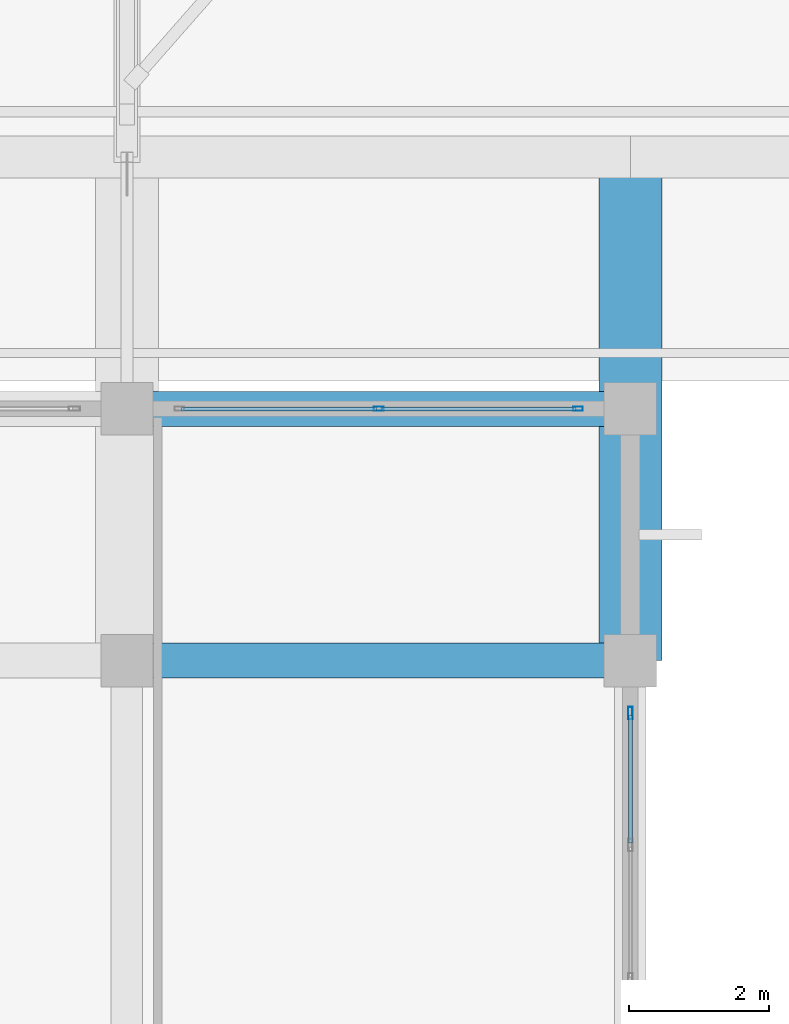
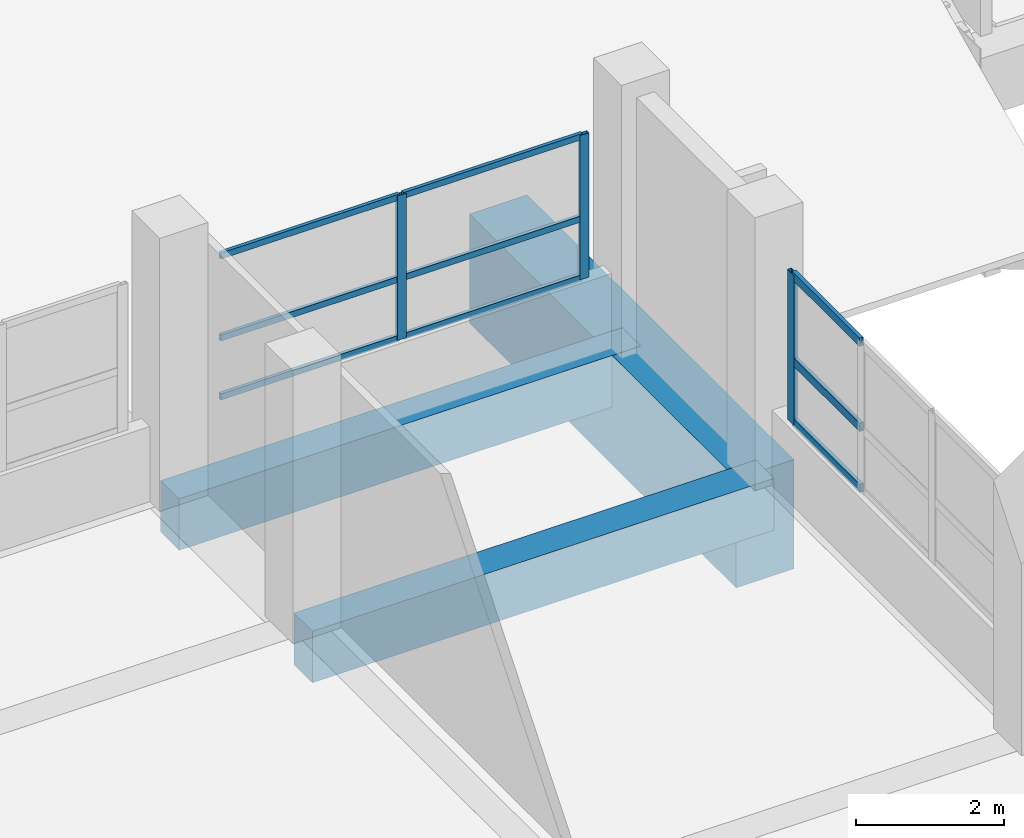
# One storey, part 101 of 141: 12 members, 3 beams, 2 elements without a shape of their own.
"""IFC4 building model written with IfcOpenShell, lengths in metres."""

from ifc_helpers import new_model, si_unit, direction, frame, origin, origin_2d, place, context, subcontext, project, spatial, rectangle, hollow_rectangle, extrude, material, layer, layer_set, material_profile, profile_set, type_object, element, aggregate, save


model = new_model("IFC4")

# Units and contexts
model_context = context("Model", 3, precision=1e-05, world=origin(), true_north=direction((0.0, 1.0)))
body_context = subcontext(model_context, "Body", "Model", "MODEL_VIEW")
ifc_project = project(units=[si_unit("LENGTHUNIT", "METRE"), si_unit("AREAUNIT", "SQUARE_METRE"), si_unit("VOLUMEUNIT", "CUBIC_METRE"), si_unit("PLANEANGLEUNIT", "RADIAN"), si_unit("MASSUNIT", "GRAM", prefix="KILO")], contexts=[model_context])

# Site, building, storey
site_placement = place(None, origin())
site = spatial("IfcSite", under=ifc_project, at=site_placement, CompositionType="ELEMENT")
building_placement = place(site_placement, origin())
building = spatial("IfcBuilding", under=site, at=building_placement, Name="Seraya Terrace Polytechnic", CompositionType="ELEMENT")
storey_placement = place(building_placement, frame((0.0, 0.0, 14.39990234375)))
storey = spatial("IfcBuildingStorey", under=building, at=storey_placement, Name="L03", CompositionType="ELEMENT", Elevation=14.39990234375)

# Beams
ifc_material_1 = material(Name="Concrete C40/50", Category="concrete")
ifc_material_profile_1 = material_profile(ifc_material_1, rectangle(XDim=0.5, YDim=0.85009765625, at=origin_2d()), Name="RC 500x850")
ifc_profile_set_1 = profile_set([ifc_material_profile_1], Name="Concrete C40/50")
beam_type_1 = type_object("IfcBeamType", Name="BM-05", PredefinedType="BEAM", material=ifc_profile_set_1)
for number, where, z_axis, x_axis, name in (
    (1, (100.800048828125, 72.0, -0.4248046875), (1.0, 0.0, 0.0), (0.0, 1.0, 0.0), "Beam BM-05 L03 X (100.8..108.0, 72.0)"),
    (2, (100.800048828125, 75.60009765625, -0.4248046875), (1.0, 0.0, 0.0), (0.0, 1.0, 0.0), "Beam BM-05 L03 X (100.8..108.0, 75.6)"),
):
    element("IfcBeam", number, at=place(storey_placement, frame(where, z_axis=z_axis, x_axis=x_axis)), inside=storey, type_object=beam_type_1, Name=name, PredefinedType="BEAM", context=body_context, shape_type="SweptSolid", body=[
        extrude(rectangle(XDim=0.5, YDim=0.85009765625, at=origin_2d()), origin(), (0.0, 0.0, 1.0), 7.199951171875),
    ])

# Curtain wall, member
ifc_material_2 = material(Name="Anodised aluminium EN AW-6063 T6", Category="aluminium")
ifc_layer_1 = layer(ifc_material_2, 0.179931640625, Name="CW-19")
ifc_layer_set_1 = layer_set([ifc_layer_1], Name="Anodised aluminium EN AW-6063 T6")
curtain_wall_type_1 = type_object("IfcCurtainWallType", Name="CW-19", PredefinedType="NOTDEFINED", material=ifc_layer_set_1)
curtain_wall_1_placement = place(storey_placement, origin())
curtain_wall_1 = element("IfcCurtainWall", 3, at=curtain_wall_1_placement, inside=storey, type_object=curtain_wall_type_1, Name="Unitised curtain wall CW-19 (CW-L03-127)", PredefinedType="NOTDEFINED")
ifc_material_profile_2 = material_profile(ifc_material_2, hollow_rectangle(XDim=0.06494140625, YDim=0.179931640625, WallThickness=0.00390625, at=origin_2d()), Name="RHS 180x65x4.0")
ifc_profile_set_2 = profile_set([ifc_material_profile_2], Name="Anodised aluminium EN AW-6063 T6")
member_type_1 = type_object("IfcMemberType", Name="CWM-01", PredefinedType="MULLION", material=ifc_profile_set_2)
member_1_placement = place(storey_placement, frame((108.0, 71.24755859375, 1.239990234375), z_axis=(0.0, 0.0, 1.0), x_axis=(1.0, 0.0, 0.0)))
member_1 = element("IfcMember", 4, at=member_1_placement, type_object=member_type_1, Name="CW-19 mullion 1", PredefinedType="MULLION", context=body_context, shape_type="SweptSolid", body=[
    extrude(hollow_rectangle(XDim=0.06494140625, YDim=0.179931640625, WallThickness=0.00390625, at=origin_2d()), origin(), (0.0, 0.0, 1.0), 2.47021484375),
])

# Curtain wall, members
ifc_layer_2 = layer(ifc_material_2, 0.179931640625, Name="CW-18")
ifc_layer_set_2 = layer_set([ifc_layer_2], Name="Anodised aluminium EN AW-6063 T6")
curtain_wall_type_2 = type_object("IfcCurtainWallType", Name="CW-18", PredefinedType="NOTDEFINED", material=ifc_layer_set_2)
curtain_wall_2_placement = place(storey_placement, origin())
curtain_wall_2 = element("IfcCurtainWall", 5, at=curtain_wall_2_placement, inside=storey, type_object=curtain_wall_type_2, Name="Unitised curtain wall CW-18 (CW-L03-126)", PredefinedType="NOTDEFINED")
ifc_material_profile_3 = material_profile(ifc_material_2, hollow_rectangle(XDim=0.06005859375, YDim=0.139892578125, WallThickness=0.00341796875, at=origin_2d()), Name="RHS 140x60x3.5")
ifc_profile_set_3 = profile_set([ifc_material_profile_3], Name="Anodised aluminium EN AW-6063 T6")
member_type_2 = type_object("IfcMemberType", Name="CWM-03", PredefinedType="MULLION", material=ifc_profile_set_3)
member_2_placement = place(storey_placement, frame((104.39990234375, 75.60009765625, 1.239990234375), z_axis=(0.0, 0.0, 1.0), x_axis=(0.0, 1.0, 0.0)))
member_2 = element("IfcMember", 6, at=member_2_placement, type_object=member_type_2, Name="CW-18 mullion 2", PredefinedType="MULLION", context=body_context, shape_type="SweptSolid", body=[
    extrude(hollow_rectangle(XDim=0.06005859375, YDim=0.139892578125, WallThickness=0.00341796875, at=origin_2d()), origin(), (0.0, 0.0, 1.0), 2.380126953125),
])
member_3_placement = place(storey_placement, frame((107.25, 75.60009765625, 1.239990234375), z_axis=(0.0, 0.0, 1.0), x_axis=(0.0, 1.0, 0.0)))
member_3 = element("IfcMember", 7, at=member_3_placement, type_object=member_type_2, Name="CW-18 mullion 3", PredefinedType="MULLION", context=body_context, shape_type="SweptSolid", body=[
    extrude(hollow_rectangle(XDim=0.06005859375, YDim=0.139892578125, WallThickness=0.00341796875, at=origin_2d()), origin(), (0.0, 0.0, 1.0), 2.380126953125),
])

# Member
ifc_material_profile_4 = material_profile(ifc_material_2, hollow_rectangle(XDim=0.06005859375, YDim=0.139892578125, WallThickness=0.00341796875, at=origin_2d()), Name="RHS 140x60x3.5")
ifc_profile_set_4 = profile_set([ifc_material_profile_4], Name="Anodised aluminium EN AW-6063 T6")
member_type_3 = type_object("IfcMemberType", Name="CWT-01", PredefinedType="USERDEFINED", material=ifc_profile_set_4)
member_4_placement = place(storey_placement, frame((108.0, 71.215087890625, 1.27001953125), z_axis=(0.0, -1.0, 0.0), x_axis=(1.0, 0.0, 0.0)))
member_4 = element("IfcMember", 8, at=member_4_placement, type_object=member_type_3, Name="CW-19 transom 1.1", ObjectType="TRANSOM", PredefinedType="USERDEFINED", context=body_context, shape_type="SweptSolid", body=[
    extrude(hollow_rectangle(XDim=0.06005859375, YDim=0.139892578125, WallThickness=0.00341796875, at=origin_2d()), origin(), (0.0, 0.0, 1.0), 1.822509765625),
])

member_5_placement = place(storey_placement, frame((108.0, 71.215087890625, 2.277587890625), z_axis=(0.0, -1.0, 0.0), x_axis=(1.0, 0.0, 0.0)))
member_5 = element("IfcMember", 9, at=member_5_placement, type_object=member_type_3, Name="CW-19 transom 1.2", ObjectType="TRANSOM", PredefinedType="USERDEFINED", context=body_context, shape_type="SweptSolid", body=[
    extrude(hollow_rectangle(XDim=0.06005859375, YDim=0.139892578125, WallThickness=0.00341796875, at=origin_2d()), origin(), (0.0, 0.0, 1.0), 1.822509765625),
])

member_6_placement = place(storey_placement, frame((108.0, 71.215087890625, 3.68017578125), z_axis=(0.0, -1.0, 0.0), x_axis=(1.0, 0.0, 0.0)))
member_6 = element("IfcMember", 10, at=member_6_placement, type_object=member_type_3, Name="CW-19 transom 1.3", ObjectType="TRANSOM", PredefinedType="USERDEFINED", context=body_context, shape_type="SweptSolid", body=[
    extrude(hollow_rectangle(XDim=0.06005859375, YDim=0.139892578125, WallThickness=0.00341796875, at=origin_2d()), origin(), (0.0, 0.0, 1.0), 1.822509765625),
])

aggregate(curtain_wall_1, [member_1, member_4, member_5, member_6])

ifc_material_profile_5 = material_profile(ifc_material_2, hollow_rectangle(XDim=0.054931640625, YDim=0.10009765625, WallThickness=0.0029296875, at=origin_2d()), Name="RHS 100x55x3.0")
ifc_profile_set_5 = profile_set([ifc_material_profile_5], Name="Anodised aluminium EN AW-6063 T6")
member_type_4 = type_object("IfcMemberType", Name="CWT-03", PredefinedType="USERDEFINED", material=ifc_profile_set_5)
member_7_placement = place(storey_placement, frame((101.580078125, 75.60009765625, 1.267578125), z_axis=(1.0, 0.0, 0.0), x_axis=(0.0, 1.0, 0.0)))
member_7 = element("IfcMember", 11, at=member_7_placement, type_object=member_type_4, Name="CW-18 transom 1.1", ObjectType="TRANSOM", PredefinedType="USERDEFINED", context=body_context, shape_type="SweptSolid", body=[
    extrude(hollow_rectangle(XDim=0.054931640625, YDim=0.10009765625, WallThickness=0.0029296875, at=origin_2d()), origin(), (0.0, 0.0, 1.0), 2.7900390625),
])

member_8_placement = place(storey_placement, frame((101.580078125, 75.60009765625, 2.23974609375), z_axis=(1.0, 0.0, 0.0), x_axis=(0.0, 1.0, 0.0)))
member_8 = element("IfcMember", 12, at=member_8_placement, type_object=member_type_4, Name="CW-18 transom 1.2", ObjectType="TRANSOM", PredefinedType="USERDEFINED", context=body_context, shape_type="SweptSolid", body=[
    extrude(hollow_rectangle(XDim=0.054931640625, YDim=0.10009765625, WallThickness=0.0029296875, at=origin_2d()), origin(), (0.0, 0.0, 1.0), 2.7900390625),
])

member_9_placement = place(storey_placement, frame((101.580078125, 75.60009765625, 3.592529296875), z_axis=(1.0, 0.0, 0.0), x_axis=(0.0, 1.0, 0.0)))
member_9 = element("IfcMember", 13, at=member_9_placement, type_object=member_type_4, Name="CW-18 transom 1.3", ObjectType="TRANSOM", PredefinedType="USERDEFINED", context=body_context, shape_type="SweptSolid", body=[
    extrude(hollow_rectangle(XDim=0.054931640625, YDim=0.10009765625, WallThickness=0.0029296875, at=origin_2d()), origin(), (0.0, 0.0, 1.0), 2.7900390625),
])

member_10_placement = place(storey_placement, frame((104.429931640625, 75.60009765625, 1.267578125), z_axis=(1.0, 0.0, 0.0), x_axis=(0.0, 1.0, 0.0)))
member_10 = element("IfcMember", 14, at=member_10_placement, type_object=member_type_4, Name="CW-18 transom 2.1", ObjectType="TRANSOM", PredefinedType="USERDEFINED", context=body_context, shape_type="SweptSolid", body=[
    extrude(hollow_rectangle(XDim=0.054931640625, YDim=0.10009765625, WallThickness=0.0029296875, at=origin_2d()), origin(), (0.0, 0.0, 1.0), 2.7900390625),
])

member_11_placement = place(storey_placement, frame((104.429931640625, 75.60009765625, 2.23974609375), z_axis=(1.0, 0.0, 0.0), x_axis=(0.0, 1.0, 0.0)))
member_11 = element("IfcMember", 15, at=member_11_placement, type_object=member_type_4, Name="CW-18 transom 2.2", ObjectType="TRANSOM", PredefinedType="USERDEFINED", context=body_context, shape_type="SweptSolid", body=[
    extrude(hollow_rectangle(XDim=0.054931640625, YDim=0.10009765625, WallThickness=0.0029296875, at=origin_2d()), origin(), (0.0, 0.0, 1.0), 2.7900390625),
])

member_12_placement = place(storey_placement, frame((104.429931640625, 75.60009765625, 3.592529296875), z_axis=(1.0, 0.0, 0.0), x_axis=(0.0, 1.0, 0.0)))
member_12 = element("IfcMember", 16, at=member_12_placement, type_object=member_type_4, Name="CW-18 transom 2.3", ObjectType="TRANSOM", PredefinedType="USERDEFINED", context=body_context, shape_type="SweptSolid", body=[
    extrude(hollow_rectangle(XDim=0.054931640625, YDim=0.10009765625, WallThickness=0.0029296875, at=origin_2d()), origin(), (0.0, 0.0, 1.0), 2.7900390625),
])

aggregate(curtain_wall_2, [member_2, member_3, member_7, member_8, member_9, member_10, member_11, member_12])

# Beam
ifc_material_profile_6 = material_profile(ifc_material_1, rectangle(XDim=0.89990234375, YDim=1.800048828125, at=origin_2d()), Name="RC 900x1800")
ifc_profile_set_6 = profile_set([ifc_material_profile_6], Name="Concrete C40/50")
beam_type_2 = type_object("IfcBeamType", Name="TG-01", PredefinedType="USERDEFINED", material=ifc_profile_set_6)
beam_placement = place(storey_placement, frame((108.0, 72.0, -0.89990234375), z_axis=(0.0, 1.0, 0.0), x_axis=(-1.0, 0.0, 0.0)))
element("IfcBeam", 17, at=beam_placement, inside=storey, type_object=beam_type_2, Name="Transfer girder TG-01 L03 #21", ObjectType="GIRDER", PredefinedType="USERDEFINED", context=body_context, shape_type="SweptSolid", body=[
    extrude(rectangle(XDim=0.89990234375, YDim=1.800048828125, at=origin_2d()), origin(), (0.0, 0.0, 1.0), 7.199951171875),
])

save(model, "model.ifc")
